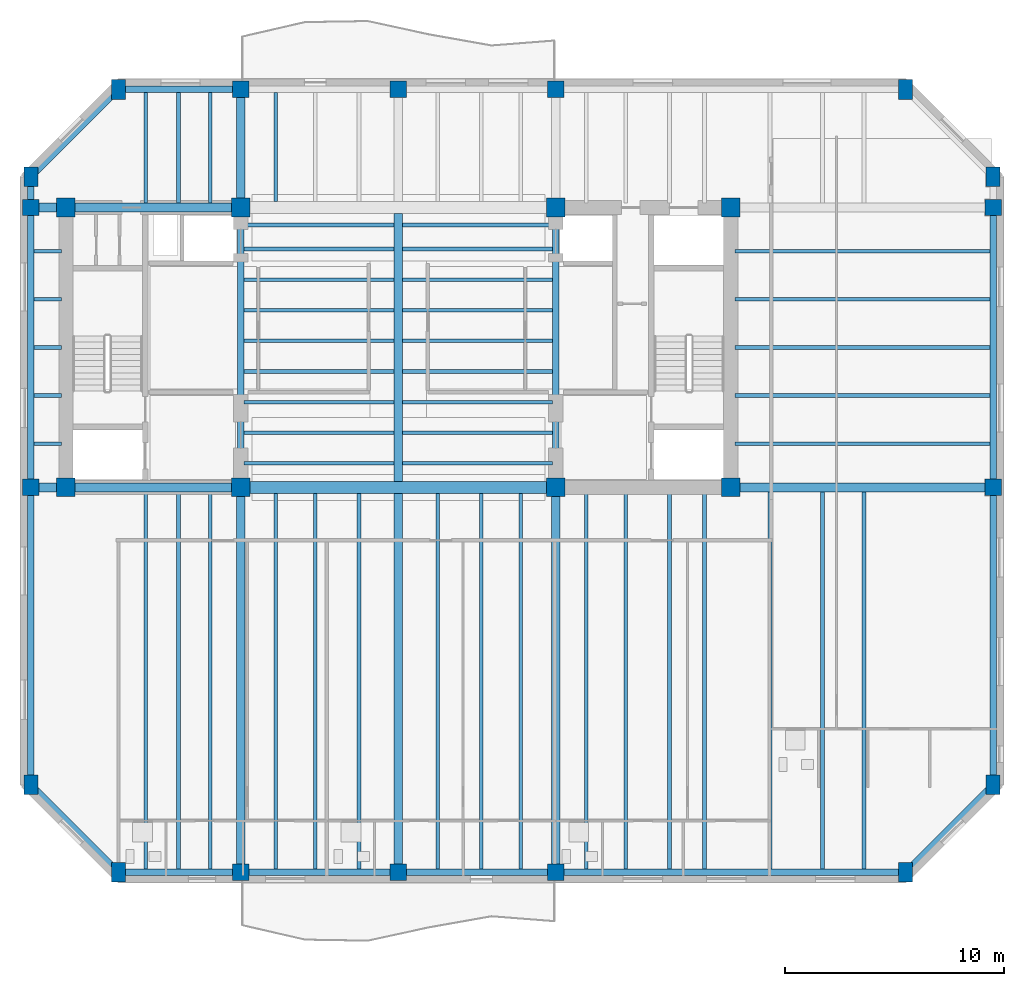
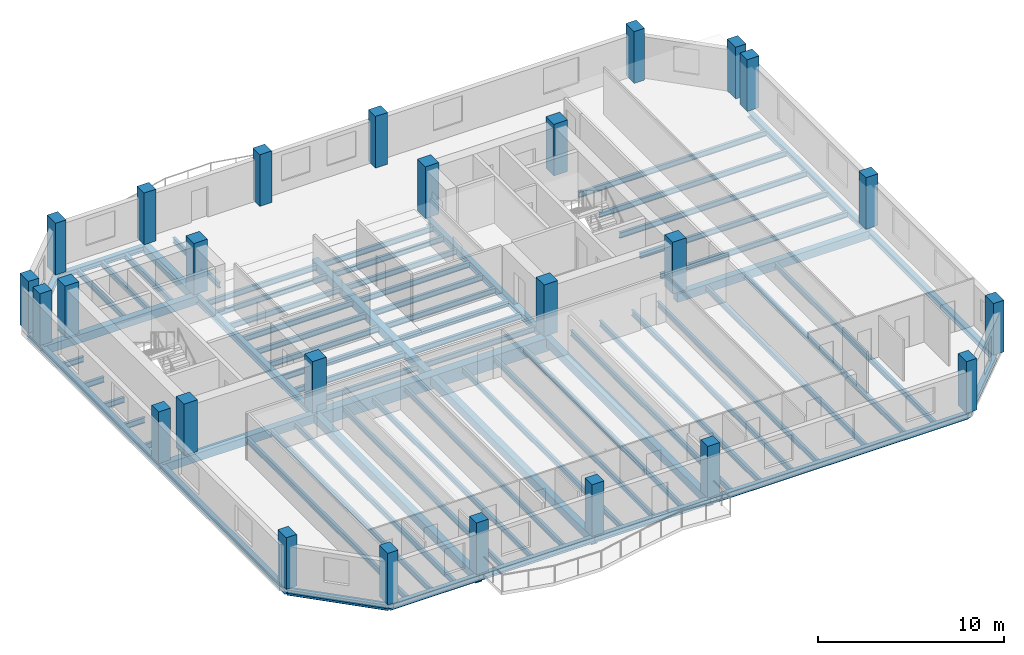
# One storey, part 1 of 9: 72 beams, 26 columns.
"""IFC4 building model written with IfcOpenShell, lengths in metres."""

from ifc_helpers import new_model, si_unit, direction, frame, origin, origin_2d, place, context, subcontext, project, spatial, rectangle, i_section, extrude, material, material_profile, profile_set, type_object, element, save


model = new_model("IFC4")

# Units and contexts
model_context = context("Model", 3, precision=1e-05, world=origin(), true_north=direction((0.0, 1.0)))
body_context = subcontext(model_context, "Body", "Model", "MODEL_VIEW")
ifc_project = project(units=[si_unit("LENGTHUNIT", "METRE"), si_unit("AREAUNIT", "SQUARE_METRE"), si_unit("VOLUMEUNIT", "CUBIC_METRE"), si_unit("PLANEANGLEUNIT", "RADIAN"), si_unit("MASSUNIT", "GRAM", prefix="KILO")], contexts=[model_context])

# Site, building, storey
site_placement = place(None, origin())
site = spatial("IfcSite", under=ifc_project, at=site_placement, CompositionType="ELEMENT")
building_placement = place(site_placement, origin())
building = spatial("IfcBuilding", under=site, at=building_placement, Name="Kranthara Brick Stack", CompositionType="ELEMENT")
storey_placement = place(building_placement, frame((0.0, 0.0, 231.300048828125)))
storey = spatial("IfcBuildingStorey", under=building, at=storey_placement, Name="L60", CompositionType="ELEMENT", Elevation=231.300048828125)

# Columns
ifc_material_1 = material(Name="Concrete C50/60", Category="concrete")
ifc_material_profile_1 = material_profile(ifc_material_1, rectangle(XDim=0.64990234375, YDim=0.89990234375, at=origin_2d()), Name="RC 650x900")
ifc_profile_set_1 = profile_set([ifc_material_profile_1], Name="Concrete C50/60")
column_type_1 = type_object("IfcColumnType", Name="COL-CHAM-650x900", PredefinedType="COLUMN", material=ifc_profile_set_1)
for number, where, z_axis, x_axis, name in (
    (1, (15.199951171875, 3.199951171875, 0.0), (0.0, 0.0, 1.0), (1.0, 0.0, 0.0), "L60 Column 09"),
    (2, (15.199951171875, 39.0, 0.0), (0.0, 0.0, 1.0), (1.0, 0.0, 0.0), "L60 Column 10"),
    (3, (51.199951171875, 3.199951171875, 0.0), (0.0, 0.0, 1.0), (1.0, 0.0, 0.0), "L60 Column 17"),
    (4, (51.199951171875, 39.0, 0.0), (0.0, 0.0, 1.0), (1.0, 0.0, 0.0), "L60 Column 18"),
    (5, (11.199951171875, 7.199951171875, 0.0), (0.0, 0.0, 1.0), (1.0, 0.0, 0.0), "L60 Column 19"),
    (6, (55.199951171875, 7.199951171875, 0.0), (0.0, 0.0, 1.0), (1.0, 0.0, 0.0), "L60 Column 20"),
    (7, (11.199951171875, 35.0, 0.0), (0.0, 0.0, 1.0), (1.0, 0.0, 0.0), "L60 Column 25"),
    (8, (55.199951171875, 35.0, 0.0), (0.0, 0.0, 1.0), (1.0, 0.0, 0.0), "L60 Column 26"),
):
    element("IfcColumn", number, at=place(storey_placement, frame(where, z_axis=z_axis, x_axis=x_axis)), inside=storey, type_object=column_type_1, Name=name, PredefinedType="COLUMN", context=body_context, shape_type="SweptSolid", body=[
        extrude(rectangle(XDim=0.64990234375, YDim=0.89990234375, at=origin_2d()), origin(), (0.0, 0.0, 1.0), 3.39990234375),
    ])
ifc_material_2 = material(Name="Concrete C50/60", Category="concrete")
ifc_material_profile_2 = material_profile(ifc_material_2, rectangle(XDim=0.85009765625, YDim=0.85009765625, at=origin_2d()), Name="RC 850x850")
ifc_profile_set_2 = profile_set([ifc_material_profile_2], Name="Concrete C50/60")
column_type_2 = type_object("IfcColumnType", Name="COL-CORE-850", PredefinedType="COLUMN", material=ifc_profile_set_2)
for number, where, z_axis, x_axis, name in (
    (9, (12.800048828125, 20.800048828125, 0.0), (0.0, 0.0, 1.0), (1.0, 0.0, 0.0), "L60 Column 01"),
    (10, (20.800048828125, 20.800048828125, 0.0), (0.0, 0.0, 1.0), (1.0, 0.0, 0.0), "L60 Column 02"),
    (11, (12.800048828125, 33.60009765625, 0.0), (0.0, 0.0, 1.0), (1.0, 0.0, 0.0), "L60 Column 03"),
    (12, (20.800048828125, 33.60009765625, 0.0), (0.0, 0.0, 1.0), (1.0, 0.0, 0.0), "L60 Column 04"),
    (13, (35.199951171875, 20.800048828125, 0.0), (0.0, 0.0, 1.0), (1.0, 0.0, 0.0), "L60 Column 05"),
    (14, (43.199951171875, 20.800048828125, 0.0), (0.0, 0.0, 1.0), (1.0, 0.0, 0.0), "L60 Column 06"),
    (15, (35.199951171875, 33.60009765625, 0.0), (0.0, 0.0, 1.0), (1.0, 0.0, 0.0), "L60 Column 07"),
    (16, (43.199951171875, 33.60009765625, 0.0), (0.0, 0.0, 1.0), (1.0, 0.0, 0.0), "L60 Column 08"),
):
    element("IfcColumn", number, at=place(storey_placement, frame(where, z_axis=z_axis, x_axis=x_axis)), inside=storey, type_object=column_type_2, Name=name, PredefinedType="COLUMN", context=body_context, shape_type="SweptSolid", body=[
        extrude(rectangle(XDim=0.85009765625, YDim=0.85009765625, at=origin_2d()), origin(), (0.0, 0.0, 1.0), 3.39990234375),
    ])
ifc_material_3 = material(Name="Concrete C50/60", Category="concrete")
ifc_material_profile_3 = material_profile(ifc_material_3, rectangle(XDim=0.75, YDim=0.75, at=origin_2d()), Name="RC 750x750")
ifc_profile_set_3 = profile_set([ifc_material_profile_3], Name="Concrete C50/60")
column_type_3 = type_object("IfcColumnType", Name="COL-PER-750", PredefinedType="COLUMN", material=ifc_profile_set_3)
for number, where, z_axis, x_axis, name in (
    (17, (20.800048828125, 3.199951171875, 0.0), (0.0, 0.0, 1.0), (1.0, 0.0, 0.0), "L60 Column 11"),
    (18, (20.800048828125, 39.0, 0.0), (0.0, 0.0, 1.0), (1.0, 0.0, 0.0), "L60 Column 12"),
    (19, (28.0, 3.199951171875, 0.0), (0.0, 0.0, 1.0), (1.0, 0.0, 0.0), "L60 Column 13"),
    (20, (28.0, 39.0, 0.0), (0.0, 0.0, 1.0), (1.0, 0.0, 0.0), "L60 Column 14"),
    (21, (35.199951171875, 3.199951171875, 0.0), (0.0, 0.0, 1.0), (1.0, 0.0, 0.0), "L60 Column 15"),
    (22, (35.199951171875, 39.0, 0.0), (0.0, 0.0, 1.0), (1.0, 0.0, 0.0), "L60 Column 16"),
    (23, (11.199951171875, 20.800048828125, 0.0), (0.0, 0.0, 1.0), (1.0, 0.0, 0.0), "L60 Column 21"),
    (24, (55.199951171875, 20.800048828125, 0.0), (0.0, 0.0, 1.0), (1.0, 0.0, 0.0), "L60 Column 22"),
    (25, (11.199951171875, 33.60009765625, 0.0), (0.0, 0.0, 1.0), (1.0, 0.0, 0.0), "L60 Column 23"),
    (26, (55.199951171875, 33.60009765625, 0.0), (0.0, 0.0, 1.0), (1.0, 0.0, 0.0), "L60 Column 24"),
):
    element("IfcColumn", number, at=place(storey_placement, frame(where, z_axis=z_axis, x_axis=x_axis)), inside=storey, type_object=column_type_3, Name=name, PredefinedType="COLUMN", context=body_context, shape_type="SweptSolid", body=[
        extrude(rectangle(XDim=0.75, YDim=0.75, at=origin_2d()), origin(), (0.0, 0.0, 1.0), 3.39990234375),
    ])

# Beams
ifc_material_4 = material(Name="Concrete C50/60", Category="concrete")
ifc_material_profile_4 = material_profile(ifc_material_4, rectangle(XDim=0.550048828125, YDim=0.85009765625, at=origin_2d()), Name="RC 550x850")
ifc_profile_set_4 = profile_set([ifc_material_profile_4], Name="Concrete C50/60")
beam_type_1 = type_object("IfcBeamType", Name="BM-CPL-RC850", PredefinedType="LINTEL", material=ifc_profile_set_4)
beam_1_placement = place(storey_placement, frame((20.800048828125, 20.800048828125, -0.72509765625), z_axis=(1.0, 0.0, 0.0), x_axis=(0.0, 1.0, 0.0)))
element("IfcBeam", 27, at=beam_1_placement, inside=storey, type_object=beam_type_1, Name="L60 Core Coupling Beam 001", PredefinedType="LINTEL", context=body_context, shape_type="SweptSolid", body=[
    extrude(rectangle(XDim=0.550048828125, YDim=0.85009765625, at=origin_2d()), origin(), (0.0, 0.0, 1.0), 14.39990234375),
])
ifc_material_5 = material(Name="Post-tensioned concrete C45/55", Category="concrete")
ifc_material_profile_5 = material_profile(ifc_material_5, rectangle(XDim=0.39990234375, YDim=0.550048828125, at=origin_2d()), Name="PT 400x550")
ifc_profile_set_5 = profile_set([ifc_material_profile_5], Name="Post-tensioned concrete C45/55")
beam_type_2 = type_object("IfcBeamType", Name="BM-FLR-PT550", PredefinedType="BEAM", material=ifc_profile_set_5)
beam_2_placement = place(storey_placement, frame((20.800048828125, 3.199951171875, -0.574951171875), z_axis=(0.0, 1.0, 0.0), x_axis=(-1.0, 0.0, 0.0)))
element("IfcBeam", 28, at=beam_2_placement, inside=storey, type_object=beam_type_2, Name="L60 Primary Grid Girder 023", PredefinedType="BEAM", context=body_context, shape_type="SweptSolid", body=[
    extrude(rectangle(XDim=0.39990234375, YDim=0.550048828125, at=origin_2d()), origin(), (0.0, 0.0, 1.0), 17.60009765625),
])
beam_3_placement = place(storey_placement, frame((20.800048828125, 33.60009765625, -0.574951171875), z_axis=(0.0, 1.0, 0.0), x_axis=(-1.0, 0.0, 0.0)))
element("IfcBeam", 29, at=beam_3_placement, inside=storey, type_object=beam_type_2, Name="L60 Primary Grid Girder 024", PredefinedType="BEAM", context=body_context, shape_type="SweptSolid", body=[
    extrude(rectangle(XDim=0.39990234375, YDim=0.550048828125, at=origin_2d()), origin(), (0.0, 0.0, 1.0), 5.39990234375),
])
beam_4_placement = place(storey_placement, frame((28.0, 3.199951171875, -0.574951171875), z_axis=(0.0, 1.0, 0.0), x_axis=(-1.0, 0.0, 0.0)))
element("IfcBeam", 30, at=beam_4_placement, inside=storey, type_object=beam_type_2, Name="L60 Primary Grid Girder 025", PredefinedType="BEAM", context=body_context, shape_type="SweptSolid", body=[
    extrude(rectangle(XDim=0.39990234375, YDim=0.550048828125, at=origin_2d()), origin(), (0.0, 0.0, 1.0), 17.324951171875),
])
beam_5_placement = place(storey_placement, frame((28.0, 21.074951171875, -0.574951171875), z_axis=(0.0, 1.0, 0.0), x_axis=(-1.0, 0.0, 0.0)))
element("IfcBeam", 31, at=beam_5_placement, inside=storey, type_object=beam_type_2, Name="L60 Central Spine Girder 026", PredefinedType="BEAM", context=body_context, shape_type="SweptSolid", body=[
    extrude(rectangle(XDim=0.39990234375, YDim=0.550048828125, at=origin_2d()), origin(), (0.0, 0.0, 1.0), 12.25),
])
beam_6_placement = place(storey_placement, frame((35.199951171875, 3.199951171875, -0.574951171875), z_axis=(0.0, 1.0, 0.0), x_axis=(-1.0, 0.0, 0.0)))
element("IfcBeam", 32, at=beam_6_placement, inside=storey, type_object=beam_type_2, Name="L60 Primary Grid Girder 028", PredefinedType="BEAM", context=body_context, shape_type="SweptSolid", body=[
    extrude(rectangle(XDim=0.39990234375, YDim=0.550048828125, at=origin_2d()), origin(), (0.0, 0.0, 1.0), 17.60009765625),
])
beam_7_placement = place(storey_placement, frame((11.199951171875, 20.800048828125, -0.574951171875), z_axis=(1.0, 0.0, 0.0), x_axis=(0.0, 1.0, 0.0)))
element("IfcBeam", 33, at=beam_7_placement, inside=storey, type_object=beam_type_2, Name="L60 Primary Grid Girder 030", PredefinedType="BEAM", context=body_context, shape_type="SweptSolid", body=[
    extrude(rectangle(XDim=0.39990234375, YDim=0.550048828125, at=origin_2d()), origin(), (0.0, 0.0, 1.0), 9.60009765625),
])
beam_8_placement = place(storey_placement, frame((43.199951171875, 20.800048828125, -0.574951171875), z_axis=(1.0, 0.0, 0.0), x_axis=(0.0, 1.0, 0.0)))
element("IfcBeam", 34, at=beam_8_placement, inside=storey, type_object=beam_type_2, Name="L60 Primary Grid Girder 031", PredefinedType="BEAM", context=body_context, shape_type="SweptSolid", body=[
    extrude(rectangle(XDim=0.39990234375, YDim=0.550048828125, at=origin_2d()), origin(), (0.0, 0.0, 1.0), 12.0),
])
beam_9_placement = place(storey_placement, frame((11.199951171875, 33.60009765625, -0.574951171875), z_axis=(1.0, 0.0, 0.0), x_axis=(0.0, 1.0, 0.0)))
element("IfcBeam", 35, at=beam_9_placement, inside=storey, type_object=beam_type_2, Name="L60 Primary Grid Girder 032", PredefinedType="BEAM", context=body_context, shape_type="SweptSolid", body=[
    extrude(rectangle(XDim=0.39990234375, YDim=0.550048828125, at=origin_2d()), origin(), (0.0, 0.0, 1.0), 9.60009765625),
])
ifc_material_6 = material(Name="Steel S355", Category="steel")
ifc_material_profile_6 = material_profile(ifc_material_6, i_section(OverallWidth=0.169921875, OverallDepth=0.360107421875, WebThickness=0.008056640625, FlangeThickness=0.0126953125, at=origin_2d()), Name="IPE 360")
ifc_profile_set_6 = profile_set([ifc_material_profile_6], Name="Steel S355")
beam_type_3 = type_object("IfcBeamType", Name="BM-JST-IPE360", PredefinedType="JOIST", material=ifc_profile_set_6)
for number, where, z_axis, x_axis, name in (
    (36, (20.949951171875, 21.89990234375, -0.47998046875), (1.0, 0.0, 0.0), (0.0, 1.0, 0.0), "L60 Central Floor Joist 034"),
    (37, (28.199951171875, 21.89990234375, -0.47998046875), (1.0, 0.0, 0.0), (0.0, 1.0, 0.0), "L60 Central Floor Joist 035"),
    (38, (20.949951171875, 23.300048828125, -0.47998046875), (1.0, 0.0, 0.0), (0.0, 1.0, 0.0), "L60 Central Floor Joist 036"),
    (39, (28.199951171875, 23.300048828125, -0.47998046875), (1.0, 0.0, 0.0), (0.0, 1.0, 0.0), "L60 Central Floor Joist 037"),
    (40, (20.949951171875, 24.699951171875, -0.47998046875), (1.0, 0.0, 0.0), (0.0, 1.0, 0.0), "L60 Central Floor Joist 038"),
    (41, (28.199951171875, 24.699951171875, -0.47998046875), (1.0, 0.0, 0.0), (0.0, 1.0, 0.0), "L60 Central Floor Joist 039"),
    (42, (20.949951171875, 26.10009765625, -0.47998046875), (1.0, 0.0, 0.0), (0.0, 1.0, 0.0), "L60 Central Floor Joist 040"),
    (43, (28.199951171875, 26.10009765625, -0.47998046875), (1.0, 0.0, 0.0), (0.0, 1.0, 0.0), "L60 Central Floor Joist 041"),
    (44, (20.949951171875, 27.5, -0.47998046875), (1.0, 0.0, 0.0), (0.0, 1.0, 0.0), "L60 Central Floor Joist 042"),
    (45, (28.199951171875, 27.5, -0.47998046875), (1.0, 0.0, 0.0), (0.0, 1.0, 0.0), "L60 Central Floor Joist 043"),
    (46, (20.949951171875, 28.89990234375, -0.47998046875), (1.0, 0.0, 0.0), (0.0, 1.0, 0.0), "L60 Central Floor Joist 044"),
    (47, (28.199951171875, 28.89990234375, -0.47998046875), (1.0, 0.0, 0.0), (0.0, 1.0, 0.0), "L60 Central Floor Joist 045"),
    (48, (20.949951171875, 30.300048828125, -0.47998046875), (1.0, 0.0, 0.0), (0.0, 1.0, 0.0), "L60 Central Floor Joist 046"),
    (49, (28.199951171875, 30.300048828125, -0.47998046875), (1.0, 0.0, 0.0), (0.0, 1.0, 0.0), "L60 Central Floor Joist 047"),
    (50, (20.949951171875, 31.699951171875, -0.47998046875), (1.0, 0.0, 0.0), (0.0, 1.0, 0.0), "L60 Central Floor Joist 048"),
    (51, (28.199951171875, 31.699951171875, -0.47998046875), (1.0, 0.0, 0.0), (0.0, 1.0, 0.0), "L60 Central Floor Joist 049"),
    (52, (20.949951171875, 32.800048828125, -0.47998046875), (1.0, 0.0, 0.0), (0.0, 1.0, 0.0), "L60 Central Floor Joist 050"),
    (53, (28.199951171875, 32.800048828125, -0.47998046875), (1.0, 0.0, 0.0), (0.0, 1.0, 0.0), "L60 Central Floor Joist 051"),
):
    element("IfcBeam", number, at=place(storey_placement, frame(where, z_axis=z_axis, x_axis=x_axis)), inside=storey, type_object=beam_type_3, Name=name, PredefinedType="JOIST", context=body_context, shape_type="SweptSolid", body=[
        extrude(i_section(OverallWidth=0.169921875, OverallDepth=0.360107421875, WebThickness=0.008056640625, FlangeThickness=0.0126953125, at=origin_2d()), origin(), (0.0, 0.0, 1.0), 6.85009765625),
    ])
beam_10_placement = place(storey_placement, frame((16.449951171875, 3.35009765625, -0.47998046875), z_axis=(0.0, 1.0, 0.0), x_axis=(-1.0, 0.0, 0.0)))
element("IfcBeam", 54, at=beam_10_placement, inside=storey, type_object=beam_type_3, Name="L60 South Wing Floor Joist 052", PredefinedType="JOIST", context=body_context, shape_type="SweptSolid", body=[
    extrude(i_section(OverallWidth=0.169921875, OverallDepth=0.360107421875, WebThickness=0.008056640625, FlangeThickness=0.0126953125, at=origin_2d()), origin(), (0.0, 0.0, 1.0), 17.25),
])
beam_11_placement = place(storey_placement, frame((16.449951171875, 33.800048828125, -0.47998046875), z_axis=(0.0, 1.0, 0.0), x_axis=(-1.0, 0.0, 0.0)))
element("IfcBeam", 55, at=beam_11_placement, inside=storey, type_object=beam_type_3, Name="L60 North Wing Floor Joist 053", PredefinedType="JOIST", context=body_context, shape_type="SweptSolid", body=[
    extrude(i_section(OverallWidth=0.169921875, OverallDepth=0.360107421875, WebThickness=0.008056640625, FlangeThickness=0.0126953125, at=origin_2d()), origin(), (0.0, 0.0, 1.0), 5.050048828125),
])
beam_12_placement = place(storey_placement, frame((17.949951171875, 3.35009765625, -0.47998046875), z_axis=(0.0, 1.0, 0.0), x_axis=(-1.0, 0.0, 0.0)))
element("IfcBeam", 56, at=beam_12_placement, inside=storey, type_object=beam_type_3, Name="L60 South Wing Floor Joist 054", PredefinedType="JOIST", context=body_context, shape_type="SweptSolid", body=[
    extrude(i_section(OverallWidth=0.169921875, OverallDepth=0.360107421875, WebThickness=0.008056640625, FlangeThickness=0.0126953125, at=origin_2d()), origin(), (0.0, 0.0, 1.0), 17.25),
])
beam_13_placement = place(storey_placement, frame((17.949951171875, 33.800048828125, -0.47998046875), z_axis=(0.0, 1.0, 0.0), x_axis=(-1.0, 0.0, 0.0)))
element("IfcBeam", 57, at=beam_13_placement, inside=storey, type_object=beam_type_3, Name="L60 North Wing Floor Joist 055", PredefinedType="JOIST", context=body_context, shape_type="SweptSolid", body=[
    extrude(i_section(OverallWidth=0.169921875, OverallDepth=0.360107421875, WebThickness=0.008056640625, FlangeThickness=0.0126953125, at=origin_2d()), origin(), (0.0, 0.0, 1.0), 5.050048828125),
])
beam_14_placement = place(storey_placement, frame((19.39990234375, 3.35009765625, -0.47998046875), z_axis=(0.0, 1.0, 0.0), x_axis=(-1.0, 0.0, 0.0)))
element("IfcBeam", 58, at=beam_14_placement, inside=storey, type_object=beam_type_3, Name="L60 South Wing Floor Joist 056", PredefinedType="JOIST", context=body_context, shape_type="SweptSolid", body=[
    extrude(i_section(OverallWidth=0.169921875, OverallDepth=0.360107421875, WebThickness=0.008056640625, FlangeThickness=0.0126953125, at=origin_2d()), origin(), (0.0, 0.0, 1.0), 17.25),
])
beam_15_placement = place(storey_placement, frame((19.39990234375, 33.800048828125, -0.47998046875), z_axis=(0.0, 1.0, 0.0), x_axis=(-1.0, 0.0, 0.0)))
element("IfcBeam", 59, at=beam_15_placement, inside=storey, type_object=beam_type_3, Name="L60 North Wing Floor Joist 057", PredefinedType="JOIST", context=body_context, shape_type="SweptSolid", body=[
    extrude(i_section(OverallWidth=0.169921875, OverallDepth=0.360107421875, WebThickness=0.008056640625, FlangeThickness=0.0126953125, at=origin_2d()), origin(), (0.0, 0.0, 1.0), 5.050048828125),
])
beam_16_placement = place(storey_placement, frame((22.39990234375, 3.35009765625, -0.47998046875), z_axis=(0.0, 1.0, 0.0), x_axis=(-1.0, 0.0, 0.0)))
element("IfcBeam", 60, at=beam_16_placement, inside=storey, type_object=beam_type_3, Name="L60 South Wing Floor Joist 058", PredefinedType="JOIST", context=body_context, shape_type="SweptSolid", body=[
    extrude(i_section(OverallWidth=0.169921875, OverallDepth=0.360107421875, WebThickness=0.008056640625, FlangeThickness=0.0126953125, at=origin_2d()), origin(), (0.0, 0.0, 1.0), 17.1748046875),
])
beam_17_placement = place(storey_placement, frame((22.39990234375, 33.875, -0.47998046875), z_axis=(0.0, 1.0, 0.0), x_axis=(-1.0, 0.0, 0.0)))
element("IfcBeam", 61, at=beam_17_placement, inside=storey, type_object=beam_type_3, Name="L60 North Wing Floor Joist 059", PredefinedType="JOIST", context=body_context, shape_type="SweptSolid", body=[
    extrude(i_section(OverallWidth=0.169921875, OverallDepth=0.360107421875, WebThickness=0.008056640625, FlangeThickness=0.0126953125, at=origin_2d()), origin(), (0.0, 0.0, 1.0), 4.97509765625),
])
for number, where, z_axis, x_axis, name in (
    (62, (24.199951171875, 3.35009765625, -0.47998046875), (0.0, 1.0, 0.0), (-1.0, 0.0, 0.0), "L60 South Wing Floor Joist 060"),
    (63, (26.199951171875, 3.35009765625, -0.47998046875), (0.0, 1.0, 0.0), (-1.0, 0.0, 0.0), "L60 South Wing Floor Joist 062"),
    (64, (29.800048828125, 3.35009765625, -0.47998046875), (0.0, 1.0, 0.0), (-1.0, 0.0, 0.0), "L60 South Wing Floor Joist 064"),
    (65, (31.800048828125, 3.35009765625, -0.47998046875), (0.0, 1.0, 0.0), (-1.0, 0.0, 0.0), "L60 South Wing Floor Joist 066"),
    (66, (33.60009765625, 3.35009765625, -0.47998046875), (0.0, 1.0, 0.0), (-1.0, 0.0, 0.0), "L60 South Wing Floor Joist 068"),
):
    element("IfcBeam", number, at=place(storey_placement, frame(where, z_axis=z_axis, x_axis=x_axis)), inside=storey, type_object=beam_type_3, Name=name, PredefinedType="JOIST", context=body_context, shape_type="SweptSolid", body=[
        extrude(i_section(OverallWidth=0.169921875, OverallDepth=0.360107421875, WebThickness=0.008056640625, FlangeThickness=0.0126953125, at=origin_2d()), origin(), (0.0, 0.0, 1.0), 17.1748046875),
    ])
for number, where, z_axis, x_axis, name in (
    (67, (36.60009765625, 3.35009765625, -0.47998046875), (0.0, 1.0, 0.0), (-1.0, 0.0, 0.0), "L60 South Wing Floor Joist 070"),
    (68, (38.39990234375, 3.35009765625, -0.47998046875), (0.0, 1.0, 0.0), (-1.0, 0.0, 0.0), "L60 South Wing Floor Joist 072"),
    (69, (40.39990234375, 3.35009765625, -0.47998046875), (0.0, 1.0, 0.0), (-1.0, 0.0, 0.0), "L60 South Wing Floor Joist 074"),
    (70, (42.0, 3.35009765625, -0.47998046875), (0.0, 1.0, 0.0), (-1.0, 0.0, 0.0), "L60 South Wing Floor Joist 076"),
    (71, (45.0, 3.35009765625, -0.47998046875), (0.0, 1.0, 0.0), (-1.0, 0.0, 0.0), "L60 South Wing Floor Joist 078"),
    (72, (47.39990234375, 3.35009765625, -0.47998046875), (0.0, 1.0, 0.0), (-1.0, 0.0, 0.0), "L60 South Wing Floor Joist 080"),
    (73, (49.300048828125, 3.35009765625, -0.47998046875), (0.0, 1.0, 0.0), (-1.0, 0.0, 0.0), "L60 South Wing Floor Joist 082"),
):
    element("IfcBeam", number, at=place(storey_placement, frame(where, z_axis=z_axis, x_axis=x_axis)), inside=storey, type_object=beam_type_3, Name=name, PredefinedType="JOIST", context=body_context, shape_type="SweptSolid", body=[
        extrude(i_section(OverallWidth=0.169921875, OverallDepth=0.360107421875, WebThickness=0.008056640625, FlangeThickness=0.0126953125, at=origin_2d()), origin(), (0.0, 0.0, 1.0), 17.25),
    ])
beam_18_placement = place(storey_placement, frame((11.35009765625, 22.800048828125, -0.47998046875), z_axis=(1.0, 0.0, 0.0), x_axis=(0.0, 1.0, 0.0)))
element("IfcBeam", 74, at=beam_18_placement, inside=storey, type_object=beam_type_3, Name="L60 West Wing Floor Joist 084", PredefinedType="JOIST", context=body_context, shape_type="SweptSolid", body=[
    extrude(i_section(OverallWidth=0.169921875, OverallDepth=0.360107421875, WebThickness=0.008056640625, FlangeThickness=0.0126953125, at=origin_2d()), origin(), (0.0, 0.0, 1.0), 1.25),
])
beam_19_placement = place(storey_placement, frame((43.39990234375, 22.800048828125, -0.47998046875), z_axis=(1.0, 0.0, 0.0), x_axis=(0.0, 1.0, 0.0)))
element("IfcBeam", 75, at=beam_19_placement, inside=storey, type_object=beam_type_3, Name="L60 East Wing Floor Joist 085", PredefinedType="JOIST", context=body_context, shape_type="SweptSolid", body=[
    extrude(i_section(OverallWidth=0.169921875, OverallDepth=0.360107421875, WebThickness=0.008056640625, FlangeThickness=0.0126953125, at=origin_2d()), origin(), (0.0, 0.0, 1.0), 11.650146484375),
])
beam_20_placement = place(storey_placement, frame((11.35009765625, 25.0, -0.47998046875), z_axis=(1.0, 0.0, 0.0), x_axis=(0.0, 1.0, 0.0)))
element("IfcBeam", 76, at=beam_20_placement, inside=storey, type_object=beam_type_3, Name="L60 West Wing Floor Joist 086", PredefinedType="JOIST", context=body_context, shape_type="SweptSolid", body=[
    extrude(i_section(OverallWidth=0.169921875, OverallDepth=0.360107421875, WebThickness=0.008056640625, FlangeThickness=0.0126953125, at=origin_2d()), origin(), (0.0, 0.0, 1.0), 1.25),
])
beam_21_placement = place(storey_placement, frame((43.39990234375, 25.0, -0.47998046875), z_axis=(1.0, 0.0, 0.0), x_axis=(0.0, 1.0, 0.0)))
element("IfcBeam", 77, at=beam_21_placement, inside=storey, type_object=beam_type_3, Name="L60 East Wing Floor Joist 087", PredefinedType="JOIST", context=body_context, shape_type="SweptSolid", body=[
    extrude(i_section(OverallWidth=0.169921875, OverallDepth=0.360107421875, WebThickness=0.008056640625, FlangeThickness=0.0126953125, at=origin_2d()), origin(), (0.0, 0.0, 1.0), 11.650146484375),
])
beam_22_placement = place(storey_placement, frame((11.35009765625, 27.199951171875, -0.47998046875), z_axis=(1.0, 0.0, 0.0), x_axis=(0.0, 1.0, 0.0)))
element("IfcBeam", 78, at=beam_22_placement, inside=storey, type_object=beam_type_3, Name="L60 West Wing Floor Joist 088", PredefinedType="JOIST", context=body_context, shape_type="SweptSolid", body=[
    extrude(i_section(OverallWidth=0.169921875, OverallDepth=0.360107421875, WebThickness=0.008056640625, FlangeThickness=0.0126953125, at=origin_2d()), origin(), (0.0, 0.0, 1.0), 1.25),
])
beam_23_placement = place(storey_placement, frame((43.39990234375, 27.199951171875, -0.47998046875), z_axis=(1.0, 0.0, 0.0), x_axis=(0.0, 1.0, 0.0)))
element("IfcBeam", 79, at=beam_23_placement, inside=storey, type_object=beam_type_3, Name="L60 East Wing Floor Joist 089", PredefinedType="JOIST", context=body_context, shape_type="SweptSolid", body=[
    extrude(i_section(OverallWidth=0.169921875, OverallDepth=0.360107421875, WebThickness=0.008056640625, FlangeThickness=0.0126953125, at=origin_2d()), origin(), (0.0, 0.0, 1.0), 11.650146484375),
])
beam_24_placement = place(storey_placement, frame((11.35009765625, 29.39990234375, -0.47998046875), z_axis=(1.0, 0.0, 0.0), x_axis=(0.0, 1.0, 0.0)))
element("IfcBeam", 80, at=beam_24_placement, inside=storey, type_object=beam_type_3, Name="L60 West Wing Floor Joist 090", PredefinedType="JOIST", context=body_context, shape_type="SweptSolid", body=[
    extrude(i_section(OverallWidth=0.169921875, OverallDepth=0.360107421875, WebThickness=0.008056640625, FlangeThickness=0.0126953125, at=origin_2d()), origin(), (0.0, 0.0, 1.0), 1.25),
])
beam_25_placement = place(storey_placement, frame((43.39990234375, 29.39990234375, -0.47998046875), z_axis=(1.0, 0.0, 0.0), x_axis=(0.0, 1.0, 0.0)))
element("IfcBeam", 81, at=beam_25_placement, inside=storey, type_object=beam_type_3, Name="L60 East Wing Floor Joist 091", PredefinedType="JOIST", context=body_context, shape_type="SweptSolid", body=[
    extrude(i_section(OverallWidth=0.169921875, OverallDepth=0.360107421875, WebThickness=0.008056640625, FlangeThickness=0.0126953125, at=origin_2d()), origin(), (0.0, 0.0, 1.0), 11.650146484375),
])
beam_26_placement = place(storey_placement, frame((11.35009765625, 31.60009765625, -0.47998046875), z_axis=(1.0, 0.0, 0.0), x_axis=(0.0, 1.0, 0.0)))
element("IfcBeam", 82, at=beam_26_placement, inside=storey, type_object=beam_type_3, Name="L60 West Wing Floor Joist 092", PredefinedType="JOIST", context=body_context, shape_type="SweptSolid", body=[
    extrude(i_section(OverallWidth=0.169921875, OverallDepth=0.360107421875, WebThickness=0.008056640625, FlangeThickness=0.0126953125, at=origin_2d()), origin(), (0.0, 0.0, 1.0), 1.25),
])
beam_27_placement = place(storey_placement, frame((43.39990234375, 31.60009765625, -0.47998046875), z_axis=(1.0, 0.0, 0.0), x_axis=(0.0, 1.0, 0.0)))
element("IfcBeam", 83, at=beam_27_placement, inside=storey, type_object=beam_type_3, Name="L60 East Wing Floor Joist 093", PredefinedType="JOIST", context=body_context, shape_type="SweptSolid", body=[
    extrude(i_section(OverallWidth=0.169921875, OverallDepth=0.360107421875, WebThickness=0.008056640625, FlangeThickness=0.0126953125, at=origin_2d()), origin(), (0.0, 0.0, 1.0), 11.650146484375),
])
ifc_material_7 = material(Name="Steel S355", Category="steel")
ifc_material_profile_7 = material_profile(ifc_material_7, i_section(OverallWidth=0.300048828125, OverallDepth=0.360107421875, WebThickness=0.012451171875, FlangeThickness=0.0224609375, at=origin_2d()), Name="HEB 360")
ifc_profile_set_7 = profile_set([ifc_material_profile_7], Name="Steel S355")
beam_type_4 = type_object("IfcBeamType", Name="BM-STL-HEB360", PredefinedType="SPANDREL", material=ifc_profile_set_7)
beam_28_placement = place(storey_placement, frame((15.199951171875, 3.199951171875, -0.47998046875), z_axis=(1.0, 0.0, 0.0), x_axis=(0.0, 1.0, 0.0)))
element("IfcBeam", 84, at=beam_28_placement, inside=storey, type_object=beam_type_4, Name="L60 Perimeter Spandrel Beam 005", PredefinedType="SPANDREL", context=body_context, shape_type="SweptSolid", body=[
    extrude(i_section(OverallWidth=0.300048828125, OverallDepth=0.360107421875, WebThickness=0.012451171875, FlangeThickness=0.0224609375, at=origin_2d()), origin(), (0.0, 0.0, 1.0), 5.60009765625),
])
for number, where, z_axis, x_axis, name in (
    (85, (20.800048828125, 3.199951171875, -0.47998046875), (1.0, 0.0, 0.0), (0.0, 1.0, 0.0), "L60 Perimeter Spandrel Beam 006"),
    (86, (28.0, 3.199951171875, -0.47998046875), (1.0, 0.0, 0.0), (0.0, 1.0, 0.0), "L60 Perimeter Spandrel Beam 007"),
):
    element("IfcBeam", number, at=place(storey_placement, frame(where, z_axis=z_axis, x_axis=x_axis)), inside=storey, type_object=beam_type_4, Name=name, PredefinedType="SPANDREL", context=body_context, shape_type="SweptSolid", body=[
        extrude(i_section(OverallWidth=0.300048828125, OverallDepth=0.360107421875, WebThickness=0.012451171875, FlangeThickness=0.0224609375, at=origin_2d()), origin(), (0.0, 0.0, 1.0), 7.199951171875),
    ])
beam_29_placement = place(storey_placement, frame((35.199951171875, 3.199951171875, -0.47998046875), z_axis=(1.0, 0.0, 0.0), x_axis=(0.0, 1.0, 0.0)))
element("IfcBeam", 87, at=beam_29_placement, inside=storey, type_object=beam_type_4, Name="L60 Perimeter Spandrel Beam 008", PredefinedType="SPANDREL", context=body_context, shape_type="SweptSolid", body=[
    extrude(i_section(OverallWidth=0.300048828125, OverallDepth=0.360107421875, WebThickness=0.012451171875, FlangeThickness=0.0224609375, at=origin_2d()), origin(), (0.0, 0.0, 1.0), 16.0),
])
beam_30_placement = place(storey_placement, frame((15.199951171875, 39.0, -0.47998046875), z_axis=(1.0, 0.0, 0.0), x_axis=(0.0, 1.0, 0.0)))
element("IfcBeam", 88, at=beam_30_placement, inside=storey, type_object=beam_type_4, Name="L60 Perimeter Spandrel Beam 009", PredefinedType="SPANDREL", context=body_context, shape_type="SweptSolid", body=[
    extrude(i_section(OverallWidth=0.300048828125, OverallDepth=0.360107421875, WebThickness=0.012451171875, FlangeThickness=0.0224609375, at=origin_2d()), origin(), (0.0, 0.0, 1.0), 5.60009765625),
])
beam_31_placement = place(storey_placement, frame((11.199951171875, 7.199951171875, -0.47998046875), z_axis=(0.0, 1.0, 0.0), x_axis=(-1.0, 0.0, 0.0)))
element("IfcBeam", 89, at=beam_31_placement, inside=storey, type_object=beam_type_4, Name="L60 Perimeter Spandrel Beam 013", PredefinedType="SPANDREL", context=body_context, shape_type="SweptSolid", body=[
    extrude(i_section(OverallWidth=0.300048828125, OverallDepth=0.360107421875, WebThickness=0.012451171875, FlangeThickness=0.0224609375, at=origin_2d()), origin(), (0.0, 0.0, 1.0), 13.60009765625),
])
beam_32_placement = place(storey_placement, frame((11.199951171875, 20.800048828125, -0.47998046875), z_axis=(0.0, 1.0, 0.0), x_axis=(-1.0, 0.0, 0.0)))
element("IfcBeam", 90, at=beam_32_placement, inside=storey, type_object=beam_type_4, Name="L60 Perimeter Spandrel Beam 014", PredefinedType="SPANDREL", context=body_context, shape_type="SweptSolid", body=[
    extrude(i_section(OverallWidth=0.300048828125, OverallDepth=0.360107421875, WebThickness=0.012451171875, FlangeThickness=0.0224609375, at=origin_2d()), origin(), (0.0, 0.0, 1.0), 12.800048828125),
])
beam_33_placement = place(storey_placement, frame((11.199951171875, 33.60009765625, -0.47998046875), z_axis=(0.0, 1.0, 0.0), x_axis=(-1.0, 0.0, 0.0)))
element("IfcBeam", 91, at=beam_33_placement, inside=storey, type_object=beam_type_4, Name="L60 Perimeter Spandrel Beam 015", PredefinedType="SPANDREL", context=body_context, shape_type="SweptSolid", body=[
    extrude(i_section(OverallWidth=0.300048828125, OverallDepth=0.360107421875, WebThickness=0.012451171875, FlangeThickness=0.0224609375, at=origin_2d()), origin(), (0.0, 0.0, 1.0), 1.39990234375),
])
beam_34_placement = place(storey_placement, frame((55.199951171875, 7.199951171875, -0.47998046875), z_axis=(0.0, 1.0, 0.0), x_axis=(-1.0, 0.0, 0.0)))
element("IfcBeam", 92, at=beam_34_placement, inside=storey, type_object=beam_type_4, Name="L60 Perimeter Spandrel Beam 016", PredefinedType="SPANDREL", context=body_context, shape_type="SweptSolid", body=[
    extrude(i_section(OverallWidth=0.300048828125, OverallDepth=0.360107421875, WebThickness=0.012451171875, FlangeThickness=0.0224609375, at=origin_2d()), origin(), (0.0, 0.0, 1.0), 13.60009765625),
])
beam_35_placement = place(storey_placement, frame((55.199951171875, 20.800048828125, -0.47998046875), z_axis=(0.0, 1.0, 0.0), x_axis=(-1.0, 0.0, 0.0)))
element("IfcBeam", 93, at=beam_35_placement, inside=storey, type_object=beam_type_4, Name="L60 Perimeter Spandrel Beam 017", PredefinedType="SPANDREL", context=body_context, shape_type="SweptSolid", body=[
    extrude(i_section(OverallWidth=0.300048828125, OverallDepth=0.360107421875, WebThickness=0.012451171875, FlangeThickness=0.0224609375, at=origin_2d()), origin(), (0.0, 0.0, 1.0), 12.800048828125),
])
for number, where, z_axis, x_axis, name in (
    (94, (15.199951171875, 3.199951171875, -0.47998046875), (-0.707106781187, 0.707106781187, 0.0), (-0.707106781187, -0.707106781187, 0.0), "L60 Chamfer Corner Spandrel 019"),
    (95, (51.199951171875, 3.199951171875, -0.47998046875), (0.707106781187, 0.707106781187, 0.0), (-0.707106781187, 0.707106781187, 0.0), "L60 Chamfer Corner Spandrel 020"),
    (96, (15.199951171875, 39.0, -0.47998046875), (-0.707106781187, -0.707106781187, 0.0), (0.707106781187, -0.707106781187, 0.0), "L60 Chamfer Corner Spandrel 021"),
):
    element("IfcBeam", number, at=place(storey_placement, frame(where, z_axis=z_axis, x_axis=x_axis)), inside=storey, type_object=beam_type_4, Name=name, PredefinedType="SPANDREL", context=body_context, shape_type="SweptSolid", body=[
        extrude(i_section(OverallWidth=0.300048828125, OverallDepth=0.360107421875, WebThickness=0.012451171875, FlangeThickness=0.0224609375, at=origin_2d()), origin(), (0.0, 0.0, 1.0), 5.65673828125),
    ])
ifc_material_8 = material(Name="Steel S355", Category="steel")
ifc_material_profile_8 = material_profile(ifc_material_8, i_section(OverallWidth=0.300048828125, OverallDepth=0.449951171875, WebThickness=0.013916015625, FlangeThickness=0.02587890625, at=origin_2d()), Name="HEB 450")
ifc_profile_set_8 = profile_set([ifc_material_profile_8], Name="Steel S355")
beam_type_5 = type_object("IfcBeamType", Name="BM-STL-HEB450", PredefinedType="SPANDREL", material=ifc_profile_set_8)
for number, where, z_axis, x_axis, name in (
    (97, (20.800048828125, 20.800048828125, -0.525146484375), (0.0, 1.0, 0.0), (-1.0, 0.0, 0.0), "L60 Core Edge Tie Beam 003"),
    (98, (35.199951171875, 20.800048828125, -0.525146484375), (0.0, 1.0, 0.0), (-1.0, 0.0, 0.0), "L60 Core Edge Tie Beam 004"),
):
    element("IfcBeam", number, at=place(storey_placement, frame(where, z_axis=z_axis, x_axis=x_axis)), inside=storey, type_object=beam_type_5, Name=name, PredefinedType="SPANDREL", context=body_context, shape_type="SweptSolid", body=[
        extrude(i_section(OverallWidth=0.300048828125, OverallDepth=0.449951171875, WebThickness=0.013916015625, FlangeThickness=0.02587890625, at=origin_2d()), origin(), (0.0, 0.0, 1.0), 12.800048828125),
    ])

save(model, "model.ifc")
